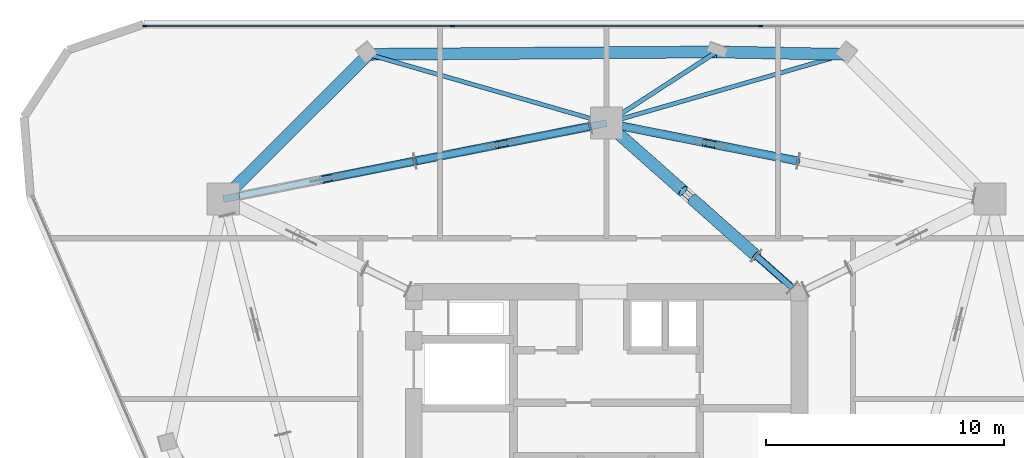
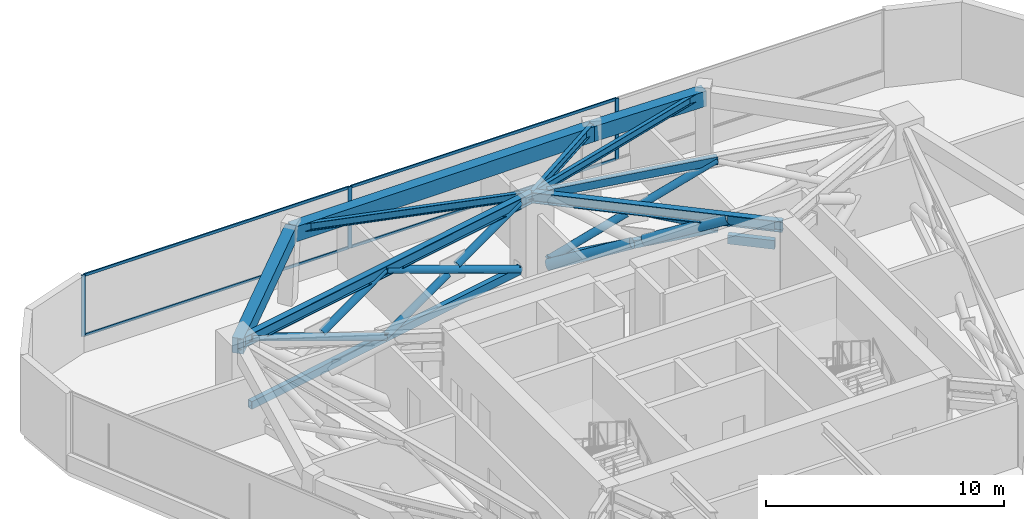
# One storey, part 6 of 12: 25 members, 8 beams, 1 element without a shape of its own.
"""IFC4 building model written with IfcOpenShell, lengths in metres."""

from ifc_helpers import new_model, si_unit, direction, frame, origin, origin_2d, place, context, subcontext, project, spatial, rectangle, hollow_rectangle, hollow_circle, i_section, extrude, material, layer, layer_set, material_profile, profile_set, type_object, element, aggregate, save


model = new_model("IFC4")

# Units and contexts
model_context = context("Model", 3, precision=1e-05, world=origin(), true_north=direction((0.0, 1.0)))
body_context = subcontext(model_context, "Body", "Model", "MODEL_VIEW")
ifc_project = project(units=[si_unit("LENGTHUNIT", "METRE"), si_unit("AREAUNIT", "SQUARE_METRE"), si_unit("VOLUMEUNIT", "CUBIC_METRE"), si_unit("PLANEANGLEUNIT", "RADIAN"), si_unit("MASSUNIT", "GRAM", prefix="KILO")], contexts=[model_context])

# Site, building, storey
site_placement = place(None, origin())
site = spatial("IfcSite", under=ifc_project, at=site_placement, CompositionType="ELEMENT")
building_placement = place(site_placement, origin())
building = spatial("IfcBuilding", under=site, at=building_placement, Name="Talyreon Biosciences Tower", CompositionType="ELEMENT")
storey_placement = place(building_placement, frame((0.0, 0.0, 227.39990234375)))
storey = spatial("IfcBuildingStorey", under=building, at=storey_placement, Name="L60", CompositionType="ELEMENT", Elevation=227.39990234375)

# Members
ifc_material_1 = material(Name="Steel SM355", Category="steel")
ifc_material_profile_1 = material_profile(ifc_material_1, hollow_circle(Radius=0.177734375, WallThickness=0.01416015625, at=origin_2d()), Name="CHS 355.6x14.2")
ifc_profile_set_1 = profile_set([ifc_material_profile_1], Name="Steel SM355")
member_type_1 = type_object("IfcMemberType", Name="BeltBrace_CHS355", PredefinedType="BRACE", material=ifc_profile_set_1)
member_1_placement = place(storey_placement, frame((74.05126953125, 80.19384765625, 0.239990234375), z_axis=(-0.891183937711, 0.176550301694, 0.417876991635), x_axis=(-0.194330874011, -0.980936038387, 0.0)))
element("IfcMember", 1, at=member_1_placement, inside=storey, type_object=member_type_1, Name="L60 Continuous Diagonal BELT-L60-B3S2A", PredefinedType="BRACE", context=body_context, shape_type="SweptSolid", body=[
    extrude(hollow_circle(Radius=0.177734375, WallThickness=0.01416015625, at=origin_2d()), origin(), (0.0, 0.0, 1.0), 8.280517578125),
])
for number, where, z_axis, x_axis, name in (
    (2, (66.671875, 81.65576171875, 0.239990234375), (0.891185971424, -0.176580174027, 0.417860032162), (0.194362086003, 0.980929854538, 0.0), "L60 Split Diagonal BELT-L60-B3S2B-Lower"),
    (3, (70.611083984375, 80.87548828125, 2.087158203125), (0.891185971424, -0.176580174027, 0.417860032162), (0.194362086003, 0.980929854538, 0.0), "L60 Split Diagonal BELT-L60-B3S2B-Upper"),
):
    element("IfcMember", number, at=place(storey_placement, frame(where, z_axis=z_axis, x_axis=x_axis)), inside=storey, type_object=member_type_1, Name=name, PredefinedType="BRACE", context=body_context, shape_type="SweptSolid", body=[
        extrude(hollow_circle(Radius=0.177734375, WallThickness=0.01416015625, at=origin_2d()), origin(), (0.0, 0.0, 1.0), 3.8603515625),
    ])
member_2_placement = place(storey_placement, frame((65.328125, 81.65576171875, 0.239990234375), z_axis=(-0.891183937711, -0.176550301694, 0.417876991635), x_axis=(0.194330874011, -0.980936038387, 0.0)))
element("IfcMember", 4, at=member_2_placement, inside=storey, type_object=member_type_1, Name="L60 Continuous Diagonal BELT-L60-B4S1A", PredefinedType="BRACE", context=body_context, shape_type="SweptSolid", body=[
    extrude(hollow_circle(Radius=0.177734375, WallThickness=0.01416015625, at=origin_2d()), origin(), (0.0, 0.0, 1.0), 8.280517578125),
])
for number, where, z_axis, x_axis, name in (
    (5, (57.94873046875, 80.19384765625, 0.239990234375), (0.891185971424, 0.176580174027, 0.417860032162), (-0.194362086003, 0.980929854538, 0.0), "L60 Split Diagonal BELT-L60-B4S1B-Lower"),
    (6, (61.887939453125, 80.97412109375, 2.087158203125), (0.891185971424, 0.176580174027, 0.417860032162), (-0.194362086003, 0.980929854538, 0.0), "L60 Split Diagonal BELT-L60-B4S1B-Upper"),
):
    element("IfcMember", number, at=place(storey_placement, frame(where, z_axis=z_axis, x_axis=x_axis)), inside=storey, type_object=member_type_1, Name=name, PredefinedType="BRACE", context=body_context, shape_type="SweptSolid", body=[
        extrude(hollow_circle(Radius=0.177734375, WallThickness=0.01416015625, at=origin_2d()), origin(), (0.0, 0.0, 1.0), 3.8603515625),
    ])
member_3_placement = place(storey_placement, frame((57.94873046875, 80.19384765625, 0.239990234375), z_axis=(-0.891173230377, -0.176583506261, 0.417885796332), x_axis=(0.194368289089, -0.980928625434, 0.0)))
element("IfcMember", 7, at=member_3_placement, inside=storey, type_object=member_type_1, Name="L60 Continuous Diagonal BELT-L60-B4S2A", PredefinedType="BRACE", context=body_context, shape_type="SweptSolid", body=[
    extrude(hollow_circle(Radius=0.177734375, WallThickness=0.01416015625, at=origin_2d()), origin(), (0.0, 0.0, 1.0), 8.2802734375),
])
member_4_placement = place(storey_placement, frame((54.508544921875, 79.51220703125, 2.087158203125), z_axis=(0.891185971424, 0.176580174027, 0.417860032162), x_axis=(-0.194362086003, 0.980929854538, 0.0)))
element("IfcMember", 8, at=member_4_placement, inside=storey, type_object=member_type_1, Name="L60 Split Diagonal BELT-L60-B4S2B-Upper", PredefinedType="BRACE", context=body_context, shape_type="SweptSolid", body=[
    extrude(hollow_circle(Radius=0.177734375, WallThickness=0.01416015625, at=origin_2d()), origin(), (0.0, 0.0, 1.0), 3.8603515625),
])
ifc_material_profile_2 = material_profile(ifc_material_1, hollow_rectangle(XDim=0.25, YDim=0.39990234375, WallThickness=0.01611328125, at=origin_2d()), Name="RHS 400x250x16")
ifc_profile_set_2 = profile_set([ifc_material_profile_2], Name="Steel SM355")
member_type_2 = type_object("IfcMemberType", Name="BeltChord_RHS400x250", PredefinedType="CHORD", material=ifc_profile_set_2)
for number, where, z_axis, x_axis, name in (
    (9, (74.05126953125, 80.19384765625, 0.239990234375), (-0.980936038387, 0.194330874011, 0.0), (-0.194330874011, -0.980936038387, 0.0), "L60 Truss Bottom Chord BELT-L60-B3S2"),
    (10, (74.05126953125, 80.19384765625, 3.7001953125), (-0.980936038387, 0.194330874011, 0.0), (-0.194330874011, -0.980936038387, 0.0), "L60 Truss Top Chord BELT-L60-B3S2"),
    (11, (65.328125, 81.65576171875, 0.239990234375), (-0.980936038387, -0.194330874011, 0.0), (0.194330874011, -0.980936038387, 0.0), "L60 Truss Bottom Chord BELT-L60-B4S1"),
    (12, (65.328125, 81.65576171875, 3.7001953125), (-0.980936038387, -0.194330874011, 0.0), (0.194330874011, -0.980936038387, 0.0), "L60 Truss Top Chord BELT-L60-B4S1"),
    (13, (57.94873046875, 80.19384765625, 0.239990234375), (-0.980928625434, -0.194368289089, 0.0), (0.194368289089, -0.980928625434, 0.0), "L60 Truss Bottom Chord BELT-L60-B4S2"),
    (14, (57.94873046875, 80.19384765625, 3.7001953125), (-0.980928625434, -0.194368289089, 0.0), (0.194368289089, -0.980928625434, 0.0), "L60 Truss Top Chord BELT-L60-B4S2"),
):
    element("IfcMember", number, at=place(storey_placement, frame(where, z_axis=z_axis, x_axis=x_axis)), inside=storey, type_object=member_type_2, Name=name, PredefinedType="CHORD", context=body_context, shape_type="SweptSolid", body=[
        extrude(hollow_rectangle(XDim=0.25, YDim=0.39990234375, WallThickness=0.01611328125, at=origin_2d()), origin(), (0.0, 0.0, 1.0), 7.522705078125),
    ])

# Curtain wall, members
ifc_material_2 = material(Name="Thermally broken aluminium and low-E glazing", Category="aluminium")
ifc_layer = layer(ifc_material_2, 0.179931640625)
ifc_layer_set = layer_set([ifc_layer], Name="Thermally broken aluminium and low-E glazing")
curtain_wall_type = type_object("IfcCurtainWallType", Name="CurtainWall_Zone4Optical", PredefinedType="NOTDEFINED", material=ifc_layer_set)
curtain_wall_placement = place(storey_placement, origin())
curtain_wall = element("IfcCurtainWall", 15, at=curtain_wall_placement, inside=storey, type_object=curtain_wall_type, Name="L60 Unitised Curtain Wall FCW-L60-04", PredefinedType="NOTDEFINED")
ifc_material_3 = material(Name="Anodised thermally broken aluminium", Category="aluminium")
ifc_material_profile_3 = material_profile(ifc_material_3, rectangle(XDim=0.06494140625, YDim=0.179931640625, at=origin_2d()), Name="ALUM MULLION 65x180")
ifc_profile_set_3 = profile_set([ifc_material_profile_3], Name="Anodised thermally broken aluminium")
member_type_3 = type_object("IfcMemberType", Name="CWMullion_65x180", PredefinedType="MULLION", material=ifc_profile_set_3)
member_5_placement = place(storey_placement, frame((46.597900390625, 85.87158203125, 0.81005859375), z_axis=(0.0, 0.0, 1.0), x_axis=(0.0, 1.0, 0.0)))
member_5 = element("IfcMember", 16, at=member_5_placement, type_object=member_type_3, Name="CW5 mullion 1", PredefinedType="MULLION", context=body_context, shape_type="SweptSolid", body=[
    extrude(rectangle(XDim=0.06494140625, YDim=0.179931640625, at=origin_2d()), origin(), (0.0, 0.0, 1.0), 3.14013671875),
])
member_6_placement = place(storey_placement, frame((59.521728515625, 85.87158203125, 0.81005859375), z_axis=(0.0, 0.0, 1.0), x_axis=(0.0, 1.0, 0.0)))
member_6 = element("IfcMember", 17, at=member_6_placement, type_object=member_type_3, Name="CW5 mullion 2", PredefinedType="MULLION", context=body_context, shape_type="SweptSolid", body=[
    extrude(rectangle(XDim=0.06494140625, YDim=0.179931640625, at=origin_2d()), origin(), (0.0, 0.0, 1.0), 3.14013671875),
])
member_7_placement = place(storey_placement, frame((72.478271484375, 85.87158203125, 0.81005859375), z_axis=(0.0, 0.0, 1.0), x_axis=(0.0, 1.0, 0.0)))
member_7 = element("IfcMember", 18, at=member_7_placement, type_object=member_type_3, Name="CW5 mullion 3", PredefinedType="MULLION", context=body_context, shape_type="SweptSolid", body=[
    extrude(rectangle(XDim=0.06494140625, YDim=0.179931640625, at=origin_2d()), origin(), (0.0, 0.0, 1.0), 3.14013671875),
])
ifc_material_profile_4 = material_profile(ifc_material_3, rectangle(XDim=0.06494140625, YDim=0.139892578125, at=origin_2d()), Name="ALUM TRANSOM 65x140")
ifc_profile_set_4 = profile_set([ifc_material_profile_4], Name="Anodised thermally broken aluminium")
member_type_4 = type_object("IfcMemberType", Name="CWTransom_65x140", PredefinedType="USERDEFINED", material=ifc_profile_set_4)
member_8_placement = place(storey_placement, frame((46.63037109375, 85.87158203125, 0.842529296875), z_axis=(1.0, 0.0, 0.0), x_axis=(0.0, 1.0, 0.0)))
member_8 = element("IfcMember", 19, at=member_8_placement, type_object=member_type_4, Name="CW5 transom 1.1", ObjectType="TRANSOM", PredefinedType="USERDEFINED", context=body_context, shape_type="SweptSolid", body=[
    extrude(rectangle(XDim=0.06494140625, YDim=0.139892578125, at=origin_2d()), origin(), (0.0, 0.0, 1.0), 12.85888671875),
])
member_9_placement = place(storey_placement, frame((46.63037109375, 85.87158203125, 3.91748046875), z_axis=(1.0, 0.0, 0.0), x_axis=(0.0, 1.0, 0.0)))
member_9 = element("IfcMember", 20, at=member_9_placement, type_object=member_type_4, Name="CW5 transom 1.2", ObjectType="TRANSOM", PredefinedType="USERDEFINED", context=body_context, shape_type="SweptSolid", body=[
    extrude(rectangle(XDim=0.06494140625, YDim=0.139892578125, at=origin_2d()), origin(), (0.0, 0.0, 1.0), 12.85888671875),
])
member_10_placement = place(storey_placement, frame((59.55419921875, 85.87158203125, 0.842529296875), z_axis=(1.0, 0.0, 0.0), x_axis=(0.0, 1.0, 0.0)))
member_10 = element("IfcMember", 21, at=member_10_placement, type_object=member_type_4, Name="CW5 transom 2.1", ObjectType="TRANSOM", PredefinedType="USERDEFINED", context=body_context, shape_type="SweptSolid", body=[
    extrude(rectangle(XDim=0.06494140625, YDim=0.139892578125, at=origin_2d()), origin(), (0.0, 0.0, 1.0), 12.8916015625),
])
member_11_placement = place(storey_placement, frame((59.55419921875, 85.87158203125, 3.91748046875), z_axis=(1.0, 0.0, 0.0), x_axis=(0.0, 1.0, 0.0)))
member_11 = element("IfcMember", 22, at=member_11_placement, type_object=member_type_4, Name="CW5 transom 2.2", ObjectType="TRANSOM", PredefinedType="USERDEFINED", context=body_context, shape_type="SweptSolid", body=[
    extrude(rectangle(XDim=0.06494140625, YDim=0.139892578125, at=origin_2d()), origin(), (0.0, 0.0, 1.0), 12.8916015625),
])
aggregate(curtain_wall, [member_5, member_6, member_7, member_8, member_9, member_10, member_11])

# Beams
ifc_material_4 = material(Name="Precast concrete C45/55", Category="concrete")
ifc_material_profile_5 = material_profile(ifc_material_4, rectangle(XDim=0.5, YDim=0.780029296875, at=origin_2d()), Name="RCB 500x780")
ifc_profile_set_5 = profile_set([ifc_material_profile_5], Name="Precast concrete C45/55")
beam_type_1 = type_object("IfcBeamType", Name="ExpressedSpandrel_500x780", PredefinedType="SPANDREL", material=ifc_profile_set_5)
beam_1_placement = place(storey_placement, frame((76.008056640625, 84.67919921875, 3.56005859375), z_axis=(-0.999827534342, 0.018571525804, 0.0), x_axis=(-0.018571525804, -0.999827534342, 0.0)))
element("IfcBeam", 23, at=beam_1_placement, inside=storey, type_object=beam_type_1, Name="L60 Expressed Horizontal Concrete Spandrel 06", PredefinedType="SPANDREL", context=body_context, shape_type="SweptSolid", body=[
    extrude(rectangle(XDim=0.5, YDim=0.780029296875, at=origin_2d()), origin(), (0.0, 0.0, 1.0), 5.389892578125),
])
beam_2_placement = place(storey_placement, frame((70.619140625, 84.779296875, 3.56005859375), z_axis=(-0.999976585746, -0.006843095825, 0.0), x_axis=(0.006843095825, -0.999976585746, 0.0)))
element("IfcBeam", 24, at=beam_2_placement, inside=storey, type_object=beam_type_1, Name="L60 Expressed Horizontal Concrete Spandrel 07", PredefinedType="SPANDREL", context=body_context, shape_type="SweptSolid", body=[
    extrude(rectangle(XDim=0.5, YDim=0.780029296875, at=origin_2d()), origin(), (0.0, 0.0, 1.0), 14.62744140625),
])
beam_3_placement = place(storey_placement, frame((55.991943359375, 84.67919921875, 3.56005859375), z_axis=(-0.70790039074, -0.706312279937, 0.0), x_axis=(0.706312279937, -0.70790039074, 0.0)))
element("IfcBeam", 25, at=beam_3_placement, inside=storey, type_object=beam_type_1, Name="L60 Expressed Horizontal Concrete Spandrel 08", PredefinedType="SPANDREL", context=body_context, shape_type="SweptSolid", body=[
    extrude(rectangle(XDim=0.5, YDim=0.780029296875, at=origin_2d()), origin(), (0.0, 0.0, 1.0), 8.60888671875),
])

# Members
ifc_material_profile_6 = material_profile(ifc_material_1, hollow_circle(Radius=0.25390625, WallThickness=0.02001953125, at=origin_2d()), Name="CHS 508x20")
ifc_profile_set_6 = profile_set([ifc_material_profile_6], Name="Steel SM355")
member_type_5 = type_object("IfcMemberType", Name="OutriggerBrace_CHS508", PredefinedType="BRACE", material=ifc_profile_set_6)
member_12_placement = place(storey_placement, frame((66.512451171875, 81.33447265625, 0.239990234375), z_axis=(0.682796765013, -0.605516501462, 0.408825566892), x_axis=(0.663497894371, 0.748178150019, 0.0)))
element("IfcMember", 26, at=member_12_placement, inside=storey, type_object=member_type_5, Name="L60 Split Diagonal OUT-L60-R4B-Lower", PredefinedType="BRACE", context=body_context, shape_type="SweptSolid", body=[
    extrude(hollow_circle(Radius=0.25390625, WallThickness=0.02001953125, at=origin_2d()), origin(), (0.0, 0.0, 1.0), 3.9521484375),
])
member_13_placement = place(storey_placement, frame((69.593505859375, 78.602294921875, 2.084716796875), z_axis=(0.682781032331, -0.60555733613, 0.40879135821), x_axis=(0.663531497736, 0.7481483486, 0.0)))
element("IfcMember", 27, at=member_13_placement, inside=storey, type_object=member_type_5, Name="L60 Split Diagonal OUT-L60-R4B-Upper", PredefinedType="BRACE", context=body_context, shape_type="SweptSolid", body=[
    extrude(hollow_circle(Radius=0.25390625, WallThickness=0.02001953125, at=origin_2d()), origin(), (0.0, 0.0, 1.0), 3.951904296875),
])
ifc_material_profile_7 = material_profile(ifc_material_1, hollow_rectangle(XDim=0.25, YDim=0.449951171875, WallThickness=0.01611328125, at=origin_2d()), Name="RHS 450x250x16")
ifc_profile_set_7 = profile_set([ifc_material_profile_7], Name="Steel SM355")
member_type_6 = type_object("IfcMemberType", Name="OutriggerChord_RHS450x250", PredefinedType="CHORD", material=ifc_profile_set_7)
for number, where, z_axis, x_axis, name in (
    (28, (73.79931640625, 74.872314453125, 3.7001953125), (-0.748184255594, 0.663491009495, 0.0), (-0.663491009495, -0.748184255594, 0.0), "L60 Outrigger Core Top Tie 4"),
    (29, (73.79931640625, 74.872314453125, 2.7001953125), (-0.748184255594, 0.663491009495, 0.0), (-0.663491009495, -0.748184255594, 0.0), "L60 Outrigger Core Plenum Tie 4"),
):
    element("IfcMember", number, at=place(storey_placement, frame(where, z_axis=z_axis, x_axis=x_axis)), inside=storey, type_object=member_type_6, Name=name, PredefinedType="CHORD", context=body_context, shape_type="SweptSolid", body=[
        extrude(hollow_rectangle(XDim=0.25, YDim=0.449951171875, WallThickness=0.01611328125, at=origin_2d()), origin(), (0.0, 0.0, 1.0), 2.014892578125),
    ])

# Beams
ifc_material_profile_8 = material_profile(ifc_material_1, i_section(OverallWidth=0.300048828125, OverallDepth=0.550048828125, WebThickness=0.014892578125, FlangeThickness=0.029052734375, FilletRadius=0.027099609375, at=origin_2d()), Name="HE550B")
ifc_profile_set_8 = profile_set([ifc_material_profile_8], Name="Steel SM355")
beam_type_2 = type_object("IfcBeamType", Name="SteelBeam_HE550B", PredefinedType="BEAM", material=ifc_profile_set_8)
beam_4_placement = place(storey_placement, frame((66.0, 81.788818359375, 3.675048828125), z_axis=(-0.980933730698, -0.194342522311, 0.0), x_axis=(0.194342522311, -0.980933730698, 0.0)))
element("IfcBeam", 30, at=beam_4_placement, inside=storey, type_object=beam_type_2, Name="L60 Mega-Ring Girder 4", PredefinedType="BEAM", context=body_context, shape_type="SweptSolid", body=[
    extrude(i_section(OverallWidth=0.300048828125, OverallDepth=0.550048828125, WebThickness=0.014892578125, FlangeThickness=0.029052734375, FilletRadius=0.027099609375, at=origin_2d()), origin(), (0.0, 0.0, 1.0), 16.415283203125),
])
beam_5_placement = place(storey_placement, frame((74.050048828125, 74.64990234375, 3.675048828125), z_axis=(-0.748178733955, 0.663497235908, 0.0), x_axis=(-0.663497235908, -0.748178733955, 0.0)))
element("IfcBeam", 31, at=beam_5_placement, inside=storey, type_object=beam_type_2, Name="L60 Radial Primary Girder 4", PredefinedType="BEAM", context=body_context, shape_type="SweptSolid", body=[
    extrude(i_section(OverallWidth=0.300048828125, OverallDepth=0.550048828125, WebThickness=0.014892578125, FlangeThickness=0.029052734375, FilletRadius=0.027099609375, at=origin_2d()), origin(), (0.0, 0.0, 1.0), 10.759521484375),
])
ifc_material_profile_9 = material_profile(ifc_material_1, i_section(OverallWidth=0.179931640625, OverallDepth=0.39990234375, WebThickness=0.008544921875, FlangeThickness=0.013427734375, FilletRadius=0.02099609375, at=origin_2d()), Name="IPE400")
ifc_profile_set_9 = profile_set([ifc_material_profile_9], Name="Steel SM355")
beam_type_3 = type_object("IfcBeamType", Name="SteelJoist_IPE400", PredefinedType="JOIST", material=ifc_profile_set_9)
for number, where, z_axis, x_axis, name in (
    (32, (66.0, 81.788818359375, 3.75), (0.960735565598, 0.27746562489, 0.0), (-0.27746562489, 0.960735565598, 0.0), "L60 Radial Composite Floor Joist PC-N1"),
    (33, (66.0, 81.788818359375, 3.75), (-0.960735565598, 0.27746562489, 0.0), (-0.27746562489, -0.960735565598, 0.0), "L60 Radial Composite Floor Joist PC-N2"),
):
    element("IfcBeam", number, at=place(storey_placement, frame(where, z_axis=z_axis, x_axis=x_axis)), inside=storey, type_object=beam_type_3, Name=name, PredefinedType="JOIST", context=body_context, shape_type="SweptSolid", body=[
        extrude(i_section(OverallWidth=0.179931640625, OverallDepth=0.39990234375, WebThickness=0.008544921875, FlangeThickness=0.013427734375, FilletRadius=0.02099609375, at=origin_2d()), origin(), (0.0, 0.0, 1.0), 10.4169921875),
    ])
ifc_material_profile_10 = material_profile(ifc_material_1, i_section(OverallWidth=0.18994140625, OverallDepth=0.449951171875, WebThickness=0.009521484375, FlangeThickness=0.0146484375, FilletRadius=0.02099609375, at=origin_2d()), Name="IPE450")
ifc_profile_set_10 = profile_set([ifc_material_profile_10], Name="Steel SM355")
beam_type_4 = type_object("IfcBeamType", Name="SteelJoist_IPE450", PredefinedType="JOIST", material=ifc_profile_set_10)
beam_6_placement = place(storey_placement, frame((66.0, 81.788818359375, 3.72509765625), z_axis=(0.839435621738, 0.543459140099, 0.0), x_axis=(-0.543459140099, 0.839435621738, 0.0)))
element("IfcBeam", 34, at=beam_6_placement, inside=storey, type_object=beam_type_4, Name="L60 Radial Composite Floor Joist PL-N", PredefinedType="JOIST", context=body_context, shape_type="SweptSolid", body=[
    extrude(i_section(OverallWidth=0.18994140625, OverallDepth=0.449951171875, WebThickness=0.009521484375, FlangeThickness=0.0146484375, FilletRadius=0.02099609375, at=origin_2d()), origin(), (0.0, 0.0, 1.0), 5.502685546875),
])

save(model, "model.ifc")
